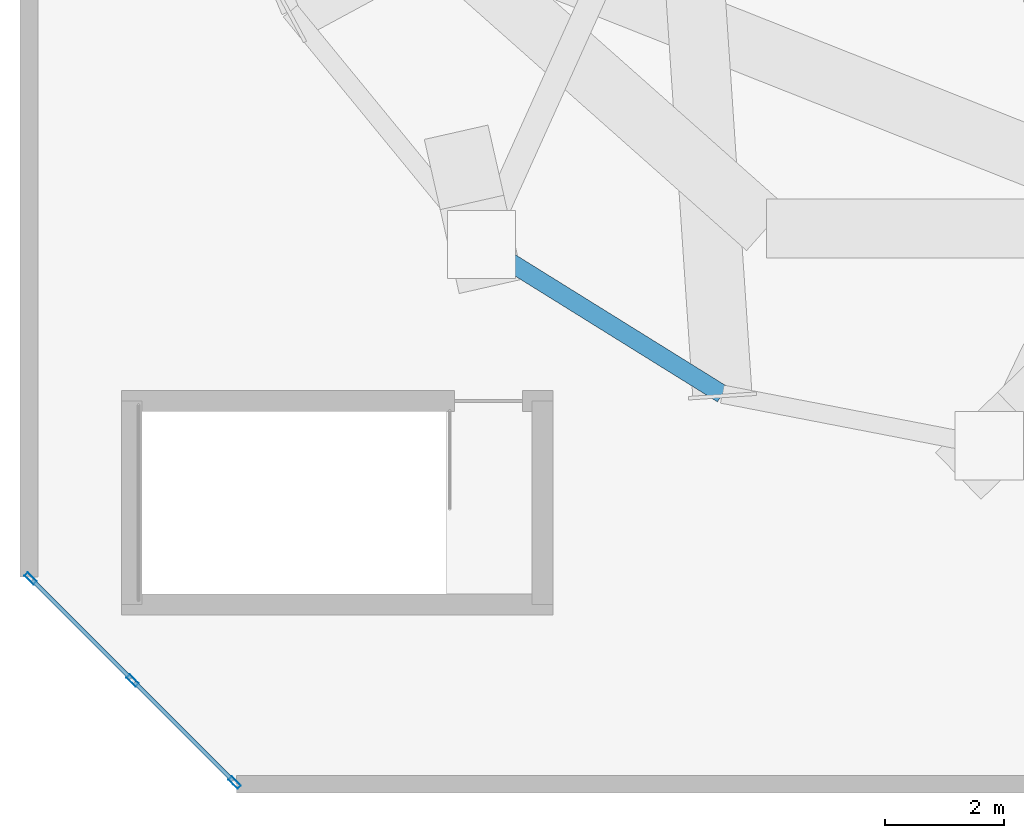
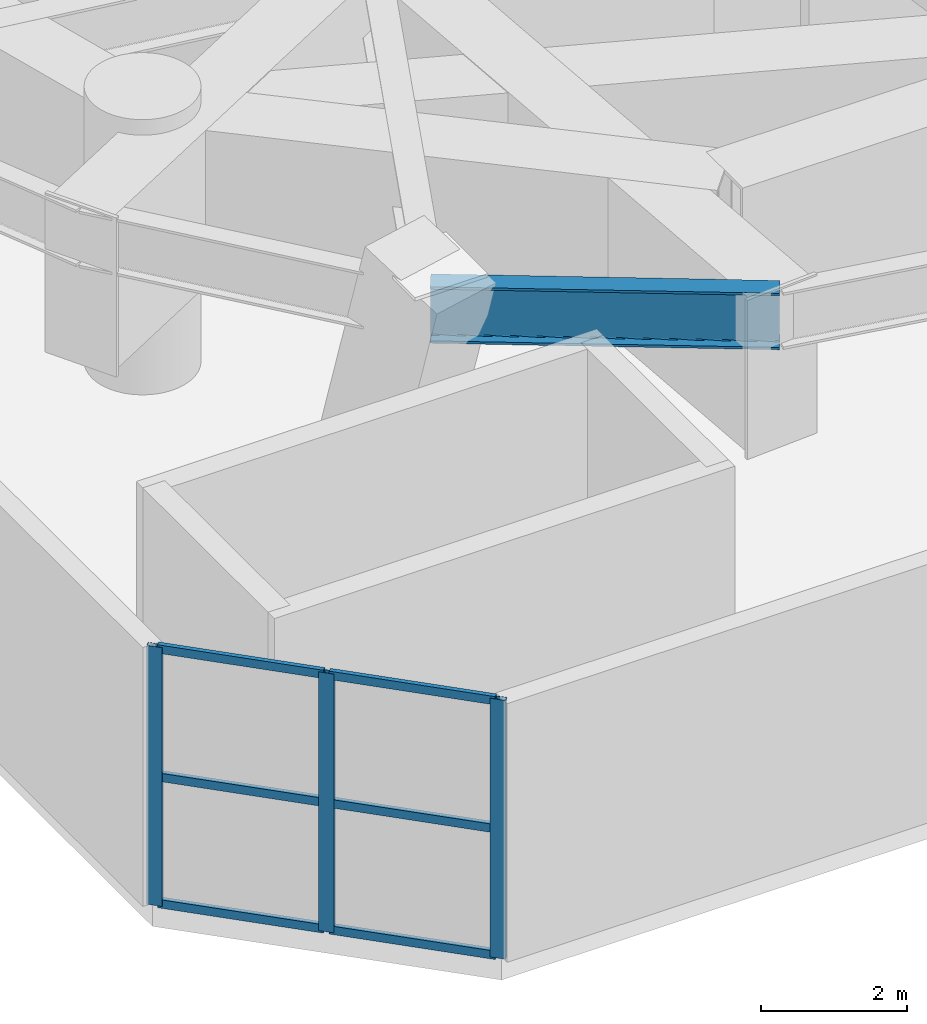
# One storey, part 3 of 25: 9 members, 1 beam, 1 element without a shape of its own.
"""IFC4 building model written with IfcOpenShell, lengths in metres."""

import ifcopenshell
import ifcopenshell.guid

model = None  # the IFC model being written
_history = None  # IfcOwnerHistory: only IFC2X3 demands one
_inside = {}  # id of a spatial element -> (the spatial element, [elements in it])
_under = {}  # id of a project, library or spatial element -> (it, [spatial elements below it])
_declared = {}  # id of a project -> (the project, [libraries it declares])
_typed = {}  # id of a type object -> (the type object, [elements of that type])
_made_of = {}  # id of a material, layer set ... -> (it, [elements and type objects made of it])


def new_model(schema):
    """Start an empty IFC model of exactly this schema.

    Asked for "IFC4X3", IfcOpenShell would pick the latest addendum, in which some entities
    have other attributes; the version numbers below select the first issue.
    IFC2X3 requires an IfcOwnerHistory on every rooted entity: one is made here for all.
    """
    global model, _history
    if schema == "IFC4X3":
        model = ifcopenshell.file(schema_version=(4, 3, 0, 0))
    else:
        model = ifcopenshell.file(schema=schema)
    _inside.clear()
    _under.clear()
    _declared.clear()
    _typed.clear()
    _made_of.clear()
    _history = None
    if model.schema == "IFC2X3":
        org = make("IfcOrganization", Name="unknown")
        user = make(
            "IfcPersonAndOrganization",
            ThePerson=make("IfcPerson", FamilyName="unknown"),
            TheOrganization=org,
        )
        app = make(
            "IfcApplication",
            ApplicationDeveloper=org,
            Version="unknown",
            ApplicationFullName="unknown",
            ApplicationIdentifier="unknown",
        )
        _history = make(
            "IfcOwnerHistory",
            OwningUser=user,
            OwningApplication=app,
            ChangeAction="ADDED",
            CreationDate=0,
        )
    return model


def make(cls, **values):
    """One entity of the class cls with the attributes given. An attribute that is None is left unset."""
    return model.create_entity(
        cls, **{name: value for name, value in values.items() if value is not None}
    )


def rooted(cls, **values):
    """An entity with a GlobalId (a new one), such as an element, a storey or a relation."""
    return make(cls, GlobalId=ifcopenshell.guid.new(), OwnerHistory=_history, **values)


def si_unit(unit_type, name, prefix=None):
    """IfcSIUnit, for example si_unit("LENGTHUNIT", "METRE", prefix="MILLI")."""
    return make("IfcSIUnit", UnitType=unit_type, Prefix=prefix, Name=name)


def assignment(units):
    """IfcUnitAssignment: the units of a project."""
    return None if units is None else make("IfcUnitAssignment", Units=units)


def point(xyz):
    """IfcCartesianPoint."""
    return None if xyz is None else make("IfcCartesianPoint", Coordinates=xyz)


def direction(xyz):
    """IfcDirection."""
    return None if xyz is None else make("IfcDirection", DirectionRatios=xyz)


def frame(location, z_axis=None, x_axis=None):
    """IfcAxis2Placement3D, a coordinate frame: its origin and axes. An axis left out is left unset."""
    return make(
        "IfcAxis2Placement3D",
        Location=point(location),
        Axis=direction(z_axis),
        RefDirection=direction(x_axis),
    )


def frame_2d(location, x_axis=None):
    """IfcAxis2Placement2D, a coordinate frame in the plane: its origin and x axis."""
    return make(
        "IfcAxis2Placement2D", Location=point(location), RefDirection=direction(x_axis)
    )


def origin():
    """The frame at (0, 0, 0) with its axes left unset."""
    return frame((0.0, 0.0, 0.0))


def origin_2d():
    """The frame at (0, 0) in the plane with its x axis left unset."""
    return frame_2d((0.0, 0.0))


def place(relative_to, where):
    """IfcLocalPlacement: puts the frame where relative to a parent placement (None: the world)."""
    return make(
        "IfcLocalPlacement", PlacementRelTo=relative_to, RelativePlacement=where
    )


def context(
    kind, dimensions, precision=None, world=None, true_north=None, identifier=None
):
    """IfcGeometricRepresentationContext, for example the 3D "Model" context."""
    return make(
        "IfcGeometricRepresentationContext",
        ContextIdentifier=identifier,
        ContextType=kind,
        CoordinateSpaceDimension=dimensions,
        Precision=precision,
        WorldCoordinateSystem=world,
        TrueNorth=true_north,
    )


def subcontext(parent, identifier, kind, view, scale=None):
    """IfcGeometricRepresentationSubContext, for example "Body" below "Model"."""
    return make(
        "IfcGeometricRepresentationSubContext",
        ContextIdentifier=identifier,
        ContextType=kind,
        ParentContext=parent,
        TargetScale=scale,
        TargetView=view,
    )


def project(units=None, contexts=None):
    """IfcProject with its units and contexts."""
    return rooted(
        "IfcProject",
        Name="project",
        RepresentationContexts=contexts,
        UnitsInContext=assignment(units),
    )


def spatial(cls, under=None, at=None, **own):
    """A site, building, storey or space (cls), placed at a placement, below another one or the project."""
    s = rooted(cls, ObjectPlacement=at, **own)
    if under is not None:
        _under.setdefault(under.id(), (under, []))[1].append(s)
    return s


def profile(cls, at=None, kind="AREA", **sizes):
    """A parametric profile (cls). Its sizes go by their IFC names, for example OverallWidth=200.0."""
    return make(cls, ProfileType=kind, Position=at, **sizes)


def hollow_rectangle(**sizes):
    """IfcRectangleHollowProfileDef."""
    return profile("IfcRectangleHollowProfileDef", **sizes)


def i_section(**sizes):
    """IfcIShapeProfileDef."""
    return profile("IfcIShapeProfileDef", **sizes)


def extrude(swept, where, along, depth):
    """IfcExtrudedAreaSolid: the profile swept, set in the frame where, extruded along a direction by depth."""
    return make(
        "IfcExtrudedAreaSolid",
        SweptArea=swept,
        Position=where,
        ExtrudedDirection=direction(along),
        Depth=depth,
    )


def shape(context_of_items, identifier, shape_type, items):
    """IfcShapeRepresentation: the items that make up one representation, for example the "Body"."""
    return make(
        "IfcShapeRepresentation",
        ContextOfItems=context_of_items,
        RepresentationIdentifier=identifier,
        RepresentationType=shape_type,
        Items=items,
    )


def material(Name=None, Category=None):
    """IfcMaterial."""
    return make("IfcMaterial", Name=Name, Category=Category)


def layer(
    of_material, thickness, ventilated=None, Name=None, Category=None, Priority=None
):
    """IfcMaterialLayer: one layer of a wall or slab, of a material (None: an air gap)."""
    return make(
        "IfcMaterialLayer",
        Material=of_material,
        LayerThickness=thickness,
        IsVentilated=ventilated,
        Name=Name,
        Category=Category,
        Priority=Priority,
    )


def layer_set(layers, Name=None):
    """IfcMaterialLayerSet."""
    return make("IfcMaterialLayerSet", MaterialLayers=layers, LayerSetName=Name)


def material_profile(
    of_material, cross_section, Name=None, Category=None, Priority=None
):
    """IfcMaterialProfile: a cross section and its material."""
    return make(
        "IfcMaterialProfile",
        Name=Name,
        Material=of_material,
        Profile=cross_section,
        Priority=Priority,
        Category=Category,
    )


def profile_set(profiles, Name=None, composite=None):
    """IfcMaterialProfileSet."""
    return make(
        "IfcMaterialProfileSet",
        Name=Name,
        MaterialProfiles=profiles,
        CompositeProfile=composite,
    )


def made_of(thing, what):
    """Note that an element or type object is made of a material, layer set ...; save() writes the relation."""
    if what is not None:
        _made_of.setdefault(what.id(), (what, []))[1].append(thing)
    return thing


def type_object(cls, material=None, **own):
    """A type object (cls), such as IfcWallType, which elements share."""
    return made_of(rooted(cls, **own), material)


def element(
    cls,
    number,
    at=None,
    inside=None,
    cuts=None,
    type_object=None,
    material=None,
    context=None,
    identifier="Body",
    shape_type=None,
    held_by="IfcProductDefinitionShape",
    body=None,
    shapes=None,
    **own,
):
    """One element of the class cls, such as IfcWall. Its Tag is "e" and its number.

    at: its placement. inside: the storey or other place that contains it. cuts: it is an
    opening in that element (IfcRelVoidsElement). A single representation is given by context,
    identifier, shape_type and body (its items); several are given by shapes. held_by: the class
    of the entity that holds the representations. save() writes the other relations.
    """
    e = rooted(cls, Tag="e%d" % number, ObjectPlacement=at, **own)
    if body is not None:
        shapes = [shape(context, identifier, shape_type, body)]
    if shapes is not None:
        e.Representation = make(held_by, Representations=shapes)
    if inside is not None:
        _inside.setdefault(inside.id(), (inside, []))[1].append(e)
    if cuts is not None:
        rooted(
            "IfcRelVoidsElement", RelatingBuildingElement=cuts, RelatedOpeningElement=e
        )
    if type_object is not None:
        _typed.setdefault(type_object.id(), (type_object, []))[1].append(e)
    return made_of(e, material)


def aggregate(whole, parts):
    """IfcRelAggregates: a whole, such as a stair, and the parts it consists of."""
    return rooted("IfcRelAggregates", RelatingObject=whole, RelatedObjects=parts)


def save(model, path):
    """Write the relations noted so far, then the file.

    IfcRelAggregates (storeys below a building ...), IfcRelContainedInSpatialStructure (elements
    in a storey), IfcRelDefinesByType, IfcRelAssociatesMaterial and IfcRelDeclares: one each for
    every whole, place, type object, material and project.
    """
    for whole, parts in _under.values():
        aggregate(whole, parts)
    for where, things in _inside.values():
        rooted(
            "IfcRelContainedInSpatialStructure",
            RelatedElements=things,
            RelatingStructure=where,
        )
    for kind, things in _typed.values():
        rooted("IfcRelDefinesByType", RelatedObjects=things, RelatingType=kind)
    for what, things in _made_of.values():
        rooted("IfcRelAssociatesMaterial", RelatedObjects=things, RelatingMaterial=what)
    for by, libraries in _declared.values():
        rooted("IfcRelDeclares", RelatingContext=by, RelatedDefinitions=libraries)
    model.write(path)


model = new_model("IFC4")

# Units and contexts
model_context = context("Model", 3, precision=1e-05, world=origin(), true_north=direction((0.0, 1.0)))
body_context = subcontext(model_context, "Body", "Model", "MODEL_VIEW")
ifc_project = project(units=[si_unit("LENGTHUNIT", "METRE"), si_unit("AREAUNIT", "SQUARE_METRE"), si_unit("VOLUMEUNIT", "CUBIC_METRE"), si_unit("PLANEANGLEUNIT", "RADIAN"), si_unit("MASSUNIT", "GRAM", prefix="KILO")], contexts=[model_context])

# Site, building, storey
site_placement = place(None, origin())
site = spatial("IfcSite", under=ifc_project, at=site_placement, CompositionType="ELEMENT")
building_placement = place(site_placement, origin())
building = spatial("IfcBuilding", under=site, at=building_placement, Name="Cununo Teusaquillo Station Towers", CompositionType="ELEMENT")
storey_placement = place(building_placement, frame((0.0, 0.0, 17.39990234375)))
storey = spatial("IfcBuildingStorey", under=building, at=storey_placement, Name="L04", CompositionType="ELEMENT", Elevation=17.39990234375)

# Beam
ifc_material_1 = material(Name="Steel ASTM A572 Grade 50", Category="steel")
ifc_material_profile_1 = material_profile(ifc_material_1, i_section(OverallWidth=0.30810546875, OverallDepth=0.943115234375, WebThickness=0.022216796875, FlangeThickness=0.039794921875, FilletRadius=0.02392578125, at=origin_2d()), Name="W36X232")
ifc_profile_set_1 = profile_set([ifc_material_profile_1], Name="Steel ASTM A572 Grade 50")
beam_type = type_object("IfcBeamType", Name="BM-POD-SEC", PredefinedType="BEAM", material=ifc_profile_set_1)
beam_placement = place(storey_placement, frame((7.935302734375, 10.107666015625, 3.8681640625), z_axis=(0.849114591758, -0.528208680412, 0.0), x_axis=(0.528208680412, 0.849114591758, 0.0)))
element("IfcBeam", 1, at=beam_placement, inside=storey, type_object=beam_type, Name="L04 Tower A Outer Diagrid Shoe Ring Girder 14", PredefinedType="BEAM", context=body_context, shape_type="SweptSolid", body=[
    extrude(i_section(OverallWidth=0.30810546875, OverallDepth=0.943115234375, WebThickness=0.022216796875, FlangeThickness=0.039794921875, FilletRadius=0.02392578125, at=origin_2d()), origin(), (0.0, 0.0, 1.0), 4.783935546875),
])

# Curtain wall, members
ifc_material_2 = material(Name="Ceramic-fritted dark low-E double glazing", Category="glass")
ifc_layer = layer(ifc_material_2, 0.179931640625)
ifc_layer_set = layer_set([ifc_layer], Name="Ceramic-fritted dark low-E double glazing")
curtain_wall_type = type_object("IfcCurtainWallType", Name="CW-SYS-01", PredefinedType="USERDEFINED", material=ifc_layer_set)
curtain_wall_placement = place(storey_placement, origin())
curtain_wall = element("IfcCurtainWall", 2, at=curtain_wall_placement, inside=storey, type_object=curtain_wall_type, Name="L04 Station Podium Corner Curtain Wall 8", ObjectType="FRITTED GLAZING", PredefinedType="USERDEFINED")
ifc_material_3 = material(Name="Anodised dark bronze aluminium EN AW-6063-T6", Category="aluminium")
ifc_material_profile_2 = material_profile(ifc_material_3, hollow_rectangle(XDim=0.080078125, YDim=0.219970703125, WallThickness=0.0048828125, at=origin_2d()), Name="CW-MULL-80x220")
ifc_profile_set_2 = profile_set([ifc_material_profile_2], Name="Anodised dark bronze aluminium EN AW-6063-T6")
member_type_1 = type_object("IfcMemberType", Name="CWM-220", PredefinedType="MULLION", material=ifc_profile_set_2)
member_1_placement = place(storey_placement, frame((3.771728515625, 1.0283203125, 0.0), z_axis=(0.0, 0.0, 1.0), x_axis=(-0.707106781187, -0.707106781187, 0.0)))
member_1 = element("IfcMember", 3, at=member_1_placement, type_object=member_type_1, Name="CW-01 mullion 1", PredefinedType="MULLION", context=body_context, shape_type="SweptSolid", body=[
    extrude(hollow_rectangle(XDim=0.080078125, YDim=0.219970703125, WallThickness=0.0048828125, at=origin_2d()), origin(), (0.0, 0.0, 1.0), 4.3251953125),
])
member_2_placement = place(storey_placement, frame((2.050048828125, 2.75, 0.0), z_axis=(0.0, 0.0, 1.0), x_axis=(-0.707106781187, -0.707106781187, 0.0)))
member_2 = element("IfcMember", 4, at=member_2_placement, type_object=member_type_1, Name="CW-01 mullion 2", PredefinedType="MULLION", context=body_context, shape_type="SweptSolid", body=[
    extrude(hollow_rectangle(XDim=0.080078125, YDim=0.219970703125, WallThickness=0.0048828125, at=origin_2d()), origin(), (0.0, 0.0, 1.0), 4.3251953125),
])
member_3_placement = place(storey_placement, frame((0.328369140625, 4.4716796875, 0.0), z_axis=(0.0, 0.0, 1.0), x_axis=(-0.707106781187, -0.707106781187, 0.0)))
member_3 = element("IfcMember", 5, at=member_3_placement, type_object=member_type_1, Name="CW-01 mullion 3", PredefinedType="MULLION", context=body_context, shape_type="SweptSolid", body=[
    extrude(hollow_rectangle(XDim=0.080078125, YDim=0.219970703125, WallThickness=0.0048828125, at=origin_2d()), origin(), (0.0, 0.0, 1.0), 4.3251953125),
])
ifc_material_4 = material(Name="Anodised dark bronze aluminium EN AW-6063-T6", Category="aluminium")
ifc_material_profile_3 = material_profile(ifc_material_4, hollow_rectangle(XDim=0.070068359375, YDim=0.139892578125, WallThickness=0.00390625, at=origin_2d()), Name="CW-TRAN-70x140")
ifc_profile_set_3 = profile_set([ifc_material_profile_3], Name="Anodised dark bronze aluminium EN AW-6063-T6")
member_type_2 = type_object("IfcMemberType", Name="CWT-140", PredefinedType="USERDEFINED", material=ifc_profile_set_3)
member_4_placement = place(storey_placement, frame((3.743408203125, 1.056640625, 0.03515625), z_axis=(-0.707106781187, 0.707106781187, 0.0), x_axis=(-0.707106781187, -0.707106781187, 0.0)))
member_4 = element("IfcMember", 6, at=member_4_placement, type_object=member_type_2, Name="CW-01 transom 1.1", ObjectType="TRANSOM", PredefinedType="USERDEFINED", context=body_context, shape_type="SweptSolid", body=[
    extrude(hollow_rectangle(XDim=0.070068359375, YDim=0.139892578125, WallThickness=0.00390625, at=origin_2d()), origin(), (0.0, 0.0, 1.0), 2.354736328125),
])
member_5_placement = place(storey_placement, frame((3.743408203125, 1.056640625, 2.150146484375), z_axis=(-0.707106781187, 0.707106781187, 0.0), x_axis=(-0.707106781187, -0.707106781187, 0.0)))
member_5 = element("IfcMember", 7, at=member_5_placement, type_object=member_type_2, Name="CW-01 transom 1.2", ObjectType="TRANSOM", PredefinedType="USERDEFINED", context=body_context, shape_type="SweptSolid", body=[
    extrude(hollow_rectangle(XDim=0.070068359375, YDim=0.139892578125, WallThickness=0.00390625, at=origin_2d()), origin(), (0.0, 0.0, 1.0), 2.354736328125),
])
member_6_placement = place(storey_placement, frame((3.743408203125, 1.056640625, 4.2900390625), z_axis=(-0.707106781187, 0.707106781187, 0.0), x_axis=(-0.707106781187, -0.707106781187, 0.0)))
member_6 = element("IfcMember", 8, at=member_6_placement, type_object=member_type_2, Name="CW-01 transom 1.3", ObjectType="TRANSOM", PredefinedType="USERDEFINED", context=body_context, shape_type="SweptSolid", body=[
    extrude(hollow_rectangle(XDim=0.070068359375, YDim=0.139892578125, WallThickness=0.00390625, at=origin_2d()), origin(), (0.0, 0.0, 1.0), 2.354736328125),
])
member_7_placement = place(storey_placement, frame((2.021728515625, 2.7783203125, 0.03515625), z_axis=(-0.707106781187, 0.707106781187, 0.0), x_axis=(-0.707106781187, -0.707106781187, 0.0)))
member_7 = element("IfcMember", 9, at=member_7_placement, type_object=member_type_2, Name="CW-01 transom 2.1", ObjectType="TRANSOM", PredefinedType="USERDEFINED", context=body_context, shape_type="SweptSolid", body=[
    extrude(hollow_rectangle(XDim=0.070068359375, YDim=0.139892578125, WallThickness=0.00390625, at=origin_2d()), origin(), (0.0, 0.0, 1.0), 2.354736328125),
])
member_8_placement = place(storey_placement, frame((2.021728515625, 2.7783203125, 2.150146484375), z_axis=(-0.707106781187, 0.707106781187, 0.0), x_axis=(-0.707106781187, -0.707106781187, 0.0)))
member_8 = element("IfcMember", 10, at=member_8_placement, type_object=member_type_2, Name="CW-01 transom 2.2", ObjectType="TRANSOM", PredefinedType="USERDEFINED", context=body_context, shape_type="SweptSolid", body=[
    extrude(hollow_rectangle(XDim=0.070068359375, YDim=0.139892578125, WallThickness=0.00390625, at=origin_2d()), origin(), (0.0, 0.0, 1.0), 2.354736328125),
])
member_9_placement = place(storey_placement, frame((2.021728515625, 2.7783203125, 4.2900390625), z_axis=(-0.707106781187, 0.707106781187, 0.0), x_axis=(-0.707106781187, -0.707106781187, 0.0)))
member_9 = element("IfcMember", 11, at=member_9_placement, type_object=member_type_2, Name="CW-01 transom 2.3", ObjectType="TRANSOM", PredefinedType="USERDEFINED", context=body_context, shape_type="SweptSolid", body=[
    extrude(hollow_rectangle(XDim=0.070068359375, YDim=0.139892578125, WallThickness=0.00390625, at=origin_2d()), origin(), (0.0, 0.0, 1.0), 2.354736328125),
])
aggregate(curtain_wall, [member_1, member_2, member_3, member_4, member_5, member_6, member_7, member_8, member_9])

save(model, "model.ifc")
